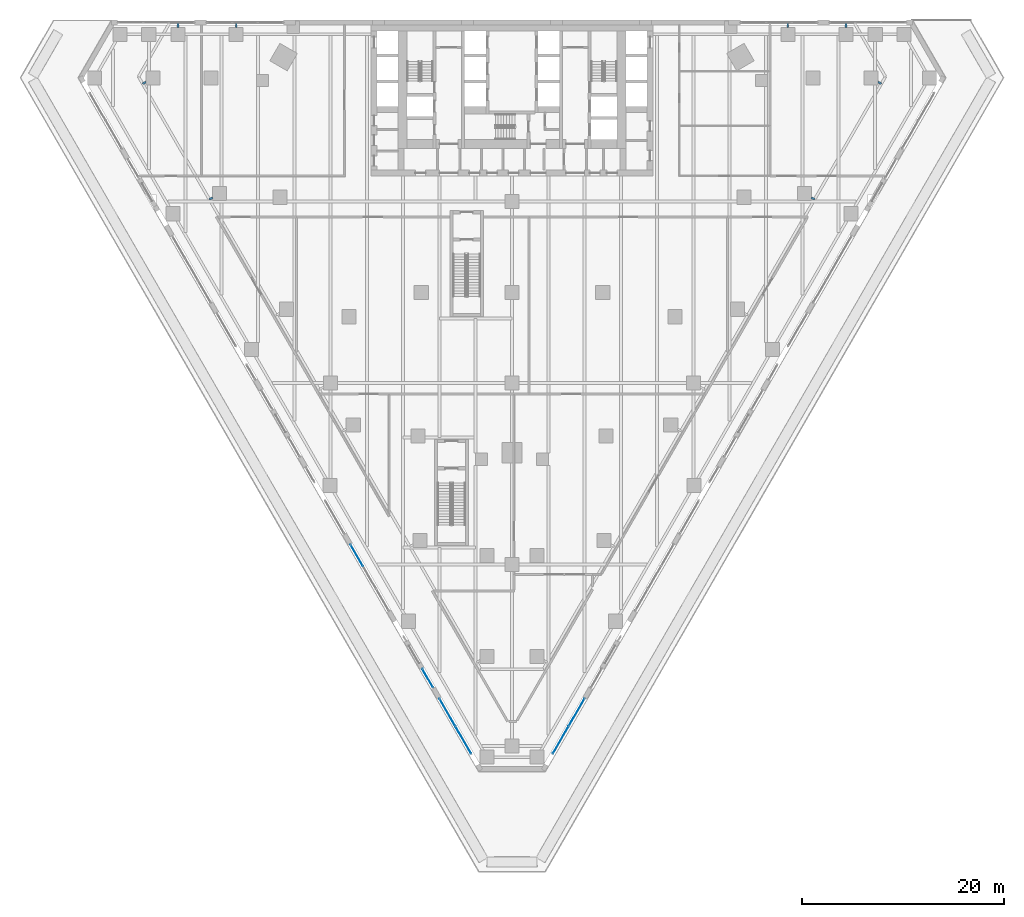
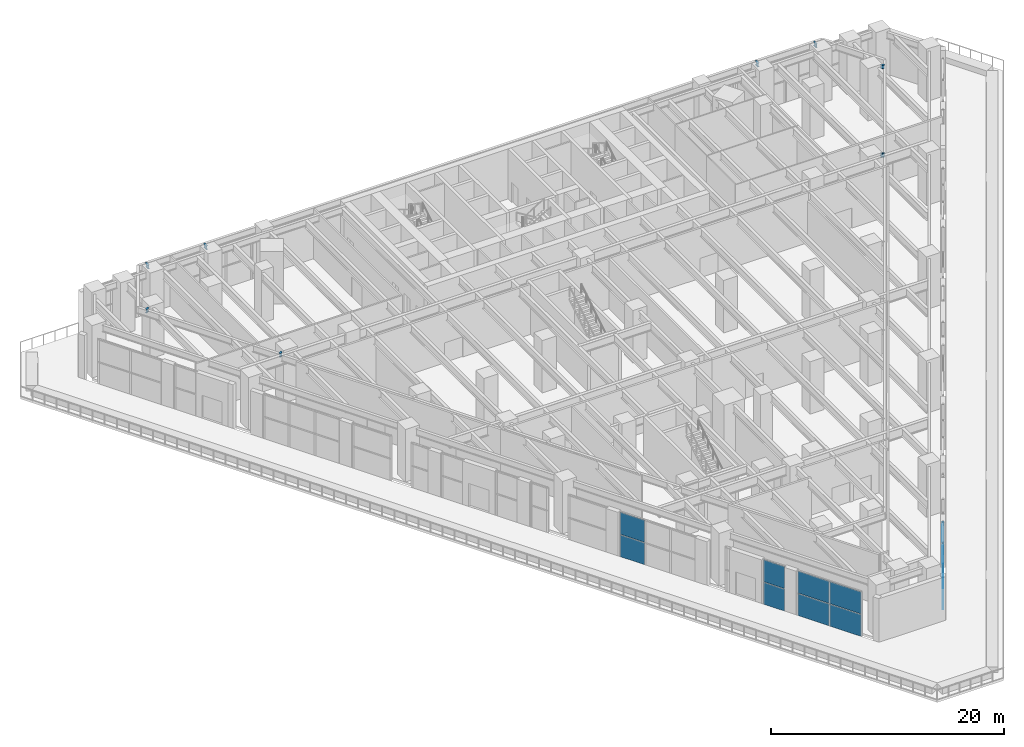
# One storey, part 15 of 30: 12 plates, 8 beams, 4 elements without a shape of their own.
"""IFC4 building model written with IfcOpenShell, lengths in metres."""

from ifc_helpers import new_model, si_unit, direction, frame, origin, origin_2d, place, context, subcontext, project, spatial, rectangle, i_section, extrude, material, layer, layer_set, material_profile, profile_set, type_object, element, aggregate, save


model = new_model("IFC4")

# Units and contexts
model_context = context("Model", 3, precision=1e-05, world=origin(), true_north=direction((0.0, 1.0)))
body_context = subcontext(model_context, "Body", "Model", "MODEL_VIEW")
ifc_project = project(units=[si_unit("LENGTHUNIT", "METRE"), si_unit("AREAUNIT", "SQUARE_METRE"), si_unit("VOLUMEUNIT", "CUBIC_METRE"), si_unit("PLANEANGLEUNIT", "RADIAN"), si_unit("MASSUNIT", "GRAM", prefix="KILO")], contexts=[model_context])

# Site, building, storey
site_placement = place(None, origin())
site = spatial("IfcSite", under=ifc_project, at=site_placement, CompositionType="ELEMENT")
building_placement = place(site_placement, origin())
building = spatial("IfcBuilding", under=site, at=building_placement, Name="Aloe Facet Convention Tower", CompositionType="ELEMENT")
storey_placement = place(building_placement, frame((0.0, 0.0, 19.5)))
storey = spatial("IfcBuildingStorey", under=building, at=storey_placement, Name="L03", CompositionType="ELEMENT", Elevation=19.5)

# Beams
ifc_material_1 = material(Name="Steel S355", Category="steel")
ifc_material_profile = material_profile(ifc_material_1, i_section(OverallWidth=0.177734375, OverallDepth=0.402587890625, WebThickness=0.0078125, FlangeThickness=0.010986328125, FilletRadius=0.01025390625, at=origin_2d()), Name="UB 406x178x54")
ifc_profile_set = profile_set([ifc_material_profile], Name="Steel S355")
beam_type = type_object("IfcBeamType", Name="EV-BR-UB406x178x54", PredefinedType="BEAM", material=ifc_profile_set)
for number, where, z_axis, x_axis, name in (
    (1, (107.364990234375, 134.300048828125, 5.048583984375), (0.0, 1.0, 0.0), (-1.0, 0.0, 0.0), "EB-L04-N-BR01"),
    (2, (113.138916015625, 134.300048828125, 5.048583984375), (0.0, 1.0, 0.0), (-1.0, 0.0, 0.0), "EB-L04-N-BR02"),
    (3, (46.861083984375, 134.300048828125, 5.048583984375), (0.0, 1.0, 0.0), (-1.0, 0.0, 0.0), "EB-L04-N-BR03"),
    (4, (52.635009765625, 134.300048828125, 5.048583984375), (0.0, 1.0, 0.0), (-1.0, 0.0, 0.0), "EB-L04-N-BR04"),
):
    element("IfcBeam", number, at=place(storey_placement, frame(where, z_axis=z_axis, x_axis=x_axis)), inside=storey, type_object=beam_type, Name=name, PredefinedType="BEAM", context=body_context, shape_type="SweptSolid", body=[
        extrude(i_section(OverallWidth=0.177734375, OverallDepth=0.402587890625, WebThickness=0.0078125, FlangeThickness=0.010986328125, FilletRadius=0.01025390625, at=origin_2d()), origin(), (0.0, 0.0, 1.0), 0.474853515625),
    ])
beam_1_placement = place(storey_placement, frame((43.669921875, 128.8798828125, 5.048583984375), z_axis=(-0.865775377446, -0.500432808485, 0.0), x_axis=(0.500432808485, -0.865775377446, 0.0)))
element("IfcBeam", 5, at=beam_1_placement, inside=storey, type_object=beam_type, Name="EB-L04-W-BR02", PredefinedType="BEAM", context=body_context, shape_type="SweptSolid", body=[
    extrude(i_section(OverallWidth=0.177734375, OverallDepth=0.402587890625, WebThickness=0.0078125, FlangeThickness=0.010986328125, FilletRadius=0.01025390625, at=origin_2d()), origin(), (0.0, 0.0, 1.0), 0.366943359375),
])
for number, where, z_axis, x_axis, name in (
    (6, (50.297119140625, 117.40087890625, 5.048583984375), (-0.866063652425, -0.499933745558, 0.0), (0.499933745558, -0.866063652425, 0.0), "EB-L04-W-BR03"),
    (7, (109.702880859375, 117.40087890625, 5.048583984375), (0.866063652425, -0.499933745558, 0.0), (0.499933745558, 0.866063652425, 0.0), "EB-L04-E-BR03"),
):
    element("IfcBeam", number, at=place(storey_placement, frame(where, z_axis=z_axis, x_axis=x_axis)), inside=storey, type_object=beam_type, Name=name, PredefinedType="BEAM", context=body_context, shape_type="SweptSolid", body=[
        extrude(i_section(OverallWidth=0.177734375, OverallDepth=0.402587890625, WebThickness=0.0078125, FlangeThickness=0.010986328125, FilletRadius=0.01025390625, at=origin_2d()), origin(), (0.0, 0.0, 1.0), 0.36669921875),
    ])
beam_2_placement = place(storey_placement, frame((116.330078125, 128.8798828125, 5.048583984375), z_axis=(0.865775377446, -0.500432808485, 0.0), x_axis=(0.500432808485, 0.865775377446, 0.0)))
element("IfcBeam", 8, at=beam_2_placement, inside=storey, type_object=beam_type, Name="EB-L04-E-BR04", PredefinedType="BEAM", context=body_context, shape_type="SweptSolid", body=[
    extrude(i_section(OverallWidth=0.177734375, OverallDepth=0.402587890625, WebThickness=0.0078125, FlangeThickness=0.010986328125, FilletRadius=0.01025390625, at=origin_2d()), origin(), (0.0, 0.0, 1.0), 0.366943359375),
])

# Curtain wall, plates
ifc_material_2 = material(Name="Aluminium, anodised", Category="aluminium")
curtain_wall_type = type_object("IfcCurtainWallType", Name="EV-CW-HALL", PredefinedType="USERDEFINED", material=ifc_material_2)
curtain_wall_1_placement = place(storey_placement, origin())
curtain_wall_1 = element("IfcCurtainWall", 9, at=curtain_wall_1_placement, inside=storey, type_object=curtain_wall_type, Name="CW-L03-W14", ObjectType="UNITISED HALL GLAZING", PredefinedType="USERDEFINED")
ifc_material_3 = material(Name="Clear double glazing", Category="glass")
ifc_layer = layer(ifc_material_3, 0.035888671875)
ifc_layer_set = layer_set([ifc_layer], Name="EV-PANEL-HALL")
plate_type = type_object("IfcPlateType", Name="EV-PANEL-HALL", PredefinedType="CURTAIN_PANEL", material=ifc_layer_set)
plate_1_placement = place(storey_placement, frame((64.598388671875, 81.89697265625, -0.18505859375), z_axis=(0.0, 0.0, 1.0), x_axis=(0.49999999997, -0.866025403802, 0.0)))
plate_1 = element("IfcPlate", 10, at=plate_1_placement, type_object=plate_type, Name="CW-L03-W14 panel 1.1", PredefinedType="CURTAIN_PANEL", context=body_context, shape_type="SweptSolid", body=[
    extrude(rectangle(XDim=2.44482421875, YDim=0.035888671875, at=origin_2d()), origin(), (0.0, 0.0, 1.0), 2.308837890625),
])
plate_2_placement = place(storey_placement, frame((64.598388671875, 81.89697265625, 2.1884765625), z_axis=(0.0, 0.0, 1.0), x_axis=(0.49999999997, -0.866025403802, 0.0)))
plate_2 = element("IfcPlate", 11, at=plate_2_placement, type_object=plate_type, Name="CW-L03-W14 panel 1.2", PredefinedType="CURTAIN_PANEL", context=body_context, shape_type="SweptSolid", body=[
    extrude(rectangle(XDim=2.44482421875, YDim=0.035888671875, at=origin_2d()), origin(), (0.0, 0.0, 1.0), 2.308837890625),
])
aggregate(curtain_wall_1, [plate_1, plate_2])

curtain_wall_2_placement = place(storey_placement, origin())
curtain_wall_2 = element("IfcCurtainWall", 12, at=curtain_wall_2_placement, inside=storey, type_object=curtain_wall_type, Name="CW-L03-W16B", ObjectType="UNITISED HALL GLAZING", PredefinedType="USERDEFINED")
plate_3_placement = place(storey_placement, frame((71.628173828125, 69.720947265625, -0.18505859375), z_axis=(0.0, 0.0, 1.0), x_axis=(0.50000000003, -0.866025403767, 0.0)))
plate_3 = element("IfcPlate", 13, at=plate_3_placement, type_object=plate_type, Name="CW-L03-W16B panel 1.1", PredefinedType="CURTAIN_PANEL", context=body_context, shape_type="SweptSolid", body=[
    extrude(rectangle(XDim=2.08349609375, YDim=0.035888671875, at=origin_2d()), origin(), (0.0, 0.0, 1.0), 2.308837890625),
])
plate_4_placement = place(storey_placement, frame((71.628173828125, 69.720947265625, 2.1884765625), z_axis=(0.0, 0.0, 1.0), x_axis=(0.50000000003, -0.866025403767, 0.0)))
plate_4 = element("IfcPlate", 14, at=plate_4_placement, type_object=plate_type, Name="CW-L03-W16B panel 1.2", PredefinedType="CURTAIN_PANEL", context=body_context, shape_type="SweptSolid", body=[
    extrude(rectangle(XDim=2.08349609375, YDim=0.035888671875, at=origin_2d()), origin(), (0.0, 0.0, 1.0), 2.308837890625),
])
aggregate(curtain_wall_2, [plate_3, plate_4])

curtain_wall_3_placement = place(storey_placement, origin())
curtain_wall_3 = element("IfcCurtainWall", 15, at=curtain_wall_3_placement, inside=storey, type_object=curtain_wall_type, Name="CW-L03-W18", ObjectType="UNITISED HALL GLAZING", PredefinedType="USERDEFINED")
plate_5_placement = place(storey_placement, frame((73.5888671875, 66.324951171875, -0.18505859375), z_axis=(0.0, 0.0, 1.0), x_axis=(0.500000000045, -0.866025403758, 0.0)))
plate_5 = element("IfcPlate", 16, at=plate_5_placement, type_object=plate_type, Name="CW-L03-W18 panel 1.1", PredefinedType="CURTAIN_PANEL", context=body_context, shape_type="SweptSolid", body=[
    extrude(rectangle(XDim=3.099609375, YDim=0.035888671875, at=origin_2d()), origin(), (0.0, 0.0, 1.0), 2.308837890625),
])
plate_6_placement = place(storey_placement, frame((73.5888671875, 66.324951171875, 2.1884765625), z_axis=(0.0, 0.0, 1.0), x_axis=(0.500000000045, -0.866025403758, 0.0)))
plate_6 = element("IfcPlate", 17, at=plate_6_placement, type_object=plate_type, Name="CW-L03-W18 panel 1.2", PredefinedType="CURTAIN_PANEL", context=body_context, shape_type="SweptSolid", body=[
    extrude(rectangle(XDim=3.099609375, YDim=0.035888671875, at=origin_2d()), origin(), (0.0, 0.0, 1.0), 2.308837890625),
])
plate_7_placement = place(storey_placement, frame((75.171142578125, 63.58447265625, -0.18505859375), z_axis=(0.0, 0.0, 1.0), x_axis=(0.500000000045, -0.866025403758, 0.0)))
plate_7 = element("IfcPlate", 18, at=plate_7_placement, type_object=plate_type, Name="CW-L03-W18 panel 2.1", PredefinedType="CURTAIN_PANEL", context=body_context, shape_type="SweptSolid", body=[
    extrude(rectangle(XDim=3.099609375, YDim=0.035888671875, at=origin_2d()), origin(), (0.0, 0.0, 1.0), 2.308837890625),
])
plate_8_placement = place(storey_placement, frame((75.171142578125, 63.58447265625, 2.1884765625), z_axis=(0.0, 0.0, 1.0), x_axis=(0.500000000045, -0.866025403758, 0.0)))
plate_8 = element("IfcPlate", 19, at=plate_8_placement, type_object=plate_type, Name="CW-L03-W18 panel 2.2", PredefinedType="CURTAIN_PANEL", context=body_context, shape_type="SweptSolid", body=[
    extrude(rectangle(XDim=3.099609375, YDim=0.035888671875, at=origin_2d()), origin(), (0.0, 0.0, 1.0), 2.308837890625),
])
aggregate(curtain_wall_3, [plate_5, plate_6, plate_7, plate_8])

curtain_wall_4_placement = place(storey_placement, origin())
curtain_wall_4 = element("IfcCurtainWall", 20, at=curtain_wall_4_placement, inside=storey, type_object=curtain_wall_type, Name="CW-L03-E02", ObjectType="UNITISED HALL GLAZING", PredefinedType="USERDEFINED")
plate_9_placement = place(storey_placement, frame((84.828857421875, 63.58447265625, -0.18505859375), z_axis=(0.0, 0.0, 1.0), x_axis=(0.500000000045, 0.866025403758, 0.0)))
plate_9 = element("IfcPlate", 21, at=plate_9_placement, type_object=plate_type, Name="CW-L03-E02 panel 1.1", PredefinedType="CURTAIN_PANEL", context=body_context, shape_type="SweptSolid", body=[
    extrude(rectangle(XDim=3.099609375, YDim=0.035888671875, at=origin_2d()), origin(), (0.0, 0.0, 1.0), 2.308837890625),
])
plate_10_placement = place(storey_placement, frame((84.828857421875, 63.58447265625, 2.1884765625), z_axis=(0.0, 0.0, 1.0), x_axis=(0.500000000045, 0.866025403758, 0.0)))
plate_10 = element("IfcPlate", 22, at=plate_10_placement, type_object=plate_type, Name="CW-L03-E02 panel 1.2", PredefinedType="CURTAIN_PANEL", context=body_context, shape_type="SweptSolid", body=[
    extrude(rectangle(XDim=3.099609375, YDim=0.035888671875, at=origin_2d()), origin(), (0.0, 0.0, 1.0), 2.308837890625),
])
plate_11_placement = place(storey_placement, frame((86.4111328125, 66.324951171875, -0.18505859375), z_axis=(0.0, 0.0, 1.0), x_axis=(0.500000000045, 0.866025403758, 0.0)))
plate_11 = element("IfcPlate", 23, at=plate_11_placement, type_object=plate_type, Name="CW-L03-E02 panel 2.1", PredefinedType="CURTAIN_PANEL", context=body_context, shape_type="SweptSolid", body=[
    extrude(rectangle(XDim=3.099609375, YDim=0.035888671875, at=origin_2d()), origin(), (0.0, 0.0, 1.0), 2.308837890625),
])
plate_12_placement = place(storey_placement, frame((86.4111328125, 66.324951171875, 2.1884765625), z_axis=(0.0, 0.0, 1.0), x_axis=(0.500000000045, 0.866025403758, 0.0)))
plate_12 = element("IfcPlate", 24, at=plate_12_placement, type_object=plate_type, Name="CW-L03-E02 panel 2.2", PredefinedType="CURTAIN_PANEL", context=body_context, shape_type="SweptSolid", body=[
    extrude(rectangle(XDim=3.099609375, YDim=0.035888671875, at=origin_2d()), origin(), (0.0, 0.0, 1.0), 2.308837890625),
])
aggregate(curtain_wall_4, [plate_9, plate_10, plate_11, plate_12])

save(model, "model.ifc")
